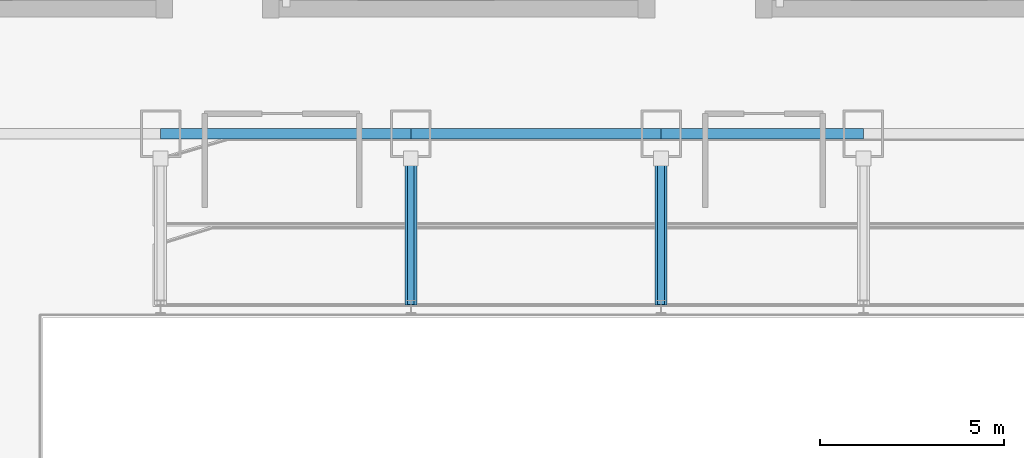
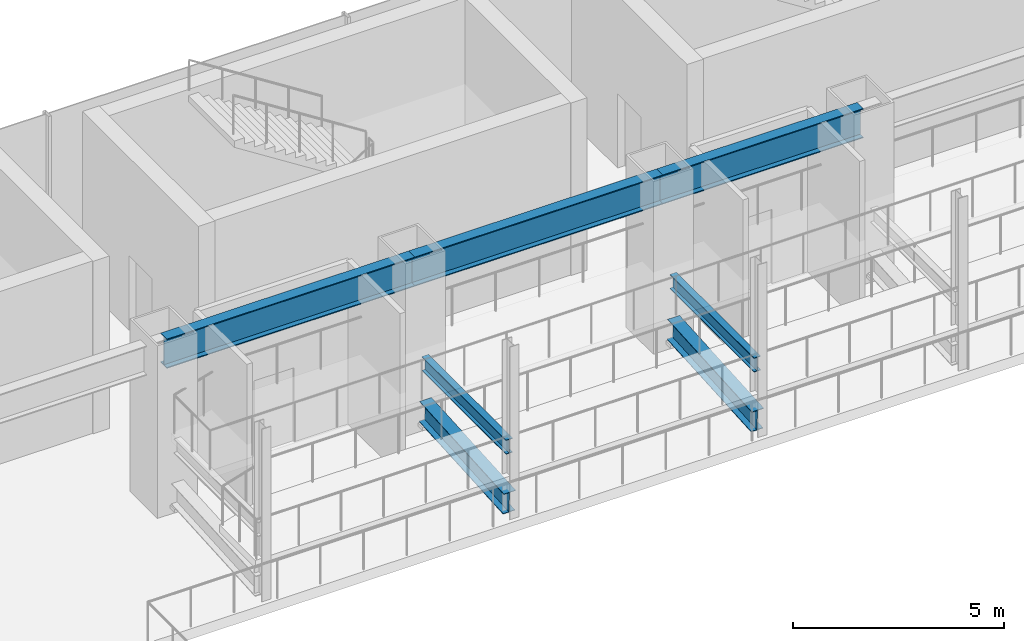
# One storey, part 13 of 39: 7 beams.
"""IFC4 building model written with IfcOpenShell, lengths in metres."""

from ifc_helpers import new_model, si_unit, derived_unit, direction, frame, origin, origin_2d, place, context, subcontext, project, spatial, i_section, extrude, source, transform, mapped, material, material_profile, profile_set, type_object, element, save


model = new_model("IFC4")

# Units and contexts
model_context = context("Model", 3, precision=1e-05, world=origin(), true_north=direction((0.0, 1.0)))
body_context = subcontext(model_context, "Body", "Model", "MODEL_VIEW")
ifc_project = project(units=[si_unit("LENGTHUNIT", "METRE"), si_unit("AREAUNIT", "SQUARE_METRE"), si_unit("VOLUMEUNIT", "CUBIC_METRE"), si_unit("PLANEANGLEUNIT", "RADIAN"), si_unit("MASSUNIT", "GRAM", prefix="KILO"), derived_unit("THERMALTRANSMITTANCEUNIT", [(si_unit("POWERUNIT", "WATT"), 1), (si_unit("LENGTHUNIT", "METRE"), -2), (si_unit("THERMODYNAMICTEMPERATUREUNIT", "KELVIN"), -1)])], contexts=[model_context])

# Site, building, storey
site_placement = place(None, origin())
site = spatial("IfcSite", under=ifc_project, at=site_placement, CompositionType="ELEMENT")
building_placement = place(site_placement, origin())
building = spatial("IfcBuilding", under=site, at=building_placement, Name="Skarnbrae Concourse Arena and Tower", CompositionType="ELEMENT")
storey_placement = place(building_placement, frame((0.0, 0.0, 11.0)))
storey = spatial("IfcBuildingStorey", under=building, at=storey_placement, Name="L02", CompositionType="ELEMENT", Elevation=11.0)

# Beams
ifc_material = material(Name="Steel CSA G40.21 350W", Category="steel")
ifc_material_profile_1 = material_profile(ifc_material, i_section(OverallWidth=0.2939453125, OverallDepth=0.85107421875, WebThickness=0.01611328125, FlangeThickness=0.02685546875, at=origin_2d()), Name="W840X226")
ifc_profile_set_1 = profile_set([ifc_material_profile_1], Name="Steel CSA G40.21 350W")
beam_type_1 = type_object("IfcBeamType", Name="BM-GIRD-W840X226", PredefinedType="BEAM", material=ifc_profile_set_1)
shared_shape_1 = source(origin(), body_context, "Body", "SweptSolid", [
    extrude(i_section(OverallWidth=0.2939453125, OverallDepth=0.85107421875, WebThickness=0.01611328125, FlangeThickness=0.02685546875, at=origin_2d()), origin(), (0.0, 0.0, 1.0), 6.800048828125),
])
for number, where, z_axis, x_axis, name in (
    (1, (14.39990234375, 47.0, 4.2744140625), (1.0, 0.0, 0.0), (0.0, 1.0, 0.0), "L02 Podium north girder 3"),
    (2, (21.199951171875, 47.0, 4.2744140625), (1.0, 0.0, 0.0), (0.0, 1.0, 0.0), "L02 Podium north girder 4"),
):
    element("IfcBeam", number, at=place(storey_placement, frame(where, z_axis=z_axis, x_axis=x_axis)), inside=storey, type_object=beam_type_1, Name=name, PredefinedType="BEAM", context=body_context, shape_type="MappedRepresentation", body=[
        mapped(shared_shape_1, transform((0.0, 0.0, 0.0))),
    ])
shared_shape_2 = source(origin(), body_context, "Body", "SweptSolid", [
    extrude(i_section(OverallWidth=0.2939453125, OverallDepth=0.85107421875, WebThickness=0.01611328125, FlangeThickness=0.02685546875, at=origin_2d()), origin(), (0.0, 0.0, 1.0), 5.5),
])
beam_placement = place(storey_placement, frame((28.0, 47.0, 4.2744140625), z_axis=(1.0, 0.0, 0.0), x_axis=(0.0, 1.0, 0.0)))
element("IfcBeam", 3, at=beam_placement, inside=storey, type_object=beam_type_1, Name="L02 Podium north girder 5", PredefinedType="BEAM", context=body_context, shape_type="MappedRepresentation", body=[
    mapped(shared_shape_2, transform((0.0, 0.0, 0.0))),
])
ifc_material_profile_2 = material_profile(ifc_material, i_section(OverallWidth=0.180908203125, OverallDepth=0.4169921875, WebThickness=0.010986328125, FlangeThickness=0.018310546875, at=origin_2d()), Name="W410X85")
ifc_profile_set_2 = profile_set([ifc_material_profile_2], Name="Steel CSA G40.21 350W")
beam_type_2 = type_object("IfcBeamType", Name="BM-JOIST-W410X85", PredefinedType="JOIST", material=ifc_profile_set_2)
shared_shape_3 = source(origin(), body_context, "Body", "SweptSolid", [
    extrude(i_section(OverallWidth=0.180908203125, OverallDepth=0.4169921875, WebThickness=0.010986328125, FlangeThickness=0.018310546875, at=origin_2d()), origin(), (0.0, 0.0, 1.0), 4.0),
])
for number, where, z_axis, x_axis, name in (
    (4, (21.199951171875, 42.360107421875, 1.94140625), (0.0, 1.0, 0.0), (-1.0, 0.0, 0.0), "L02 Arena upper seating tier cradle beam N02"),
    (5, (28.0, 42.360107421875, 1.94140625), (0.0, 1.0, 0.0), (-1.0, 0.0, 0.0), "L02 Arena upper seating tier cradle beam N03"),
):
    element("IfcBeam", number, at=place(storey_placement, frame(where, z_axis=z_axis, x_axis=x_axis)), inside=storey, type_object=beam_type_2, Name=name, PredefinedType="JOIST", context=body_context, shape_type="MappedRepresentation", body=[
        mapped(shared_shape_3, transform((0.0, 0.0, 0.0))),
    ])
ifc_material_profile_3 = material_profile(ifc_material, i_section(OverallWidth=0.323974609375, OverallDepth=0.611083984375, WebThickness=0.0126953125, FlangeThickness=0.01904296875, at=origin_2d()), Name="W610X155")
ifc_profile_set_3 = profile_set([ifc_material_profile_3], Name="Steel CSA G40.21 350W")
beam_type_3 = type_object("IfcBeamType", Name="BM-RAKER-W610X155", PredefinedType="USERDEFINED", material=ifc_profile_set_3)
shared_shape_4 = source(origin(), body_context, "Body", "SweptSolid", [
    extrude(i_section(OverallWidth=0.323974609375, OverallDepth=0.611083984375, WebThickness=0.0126953125, FlangeThickness=0.01904296875, at=origin_2d()), origin(), (0.0, 0.0, 1.0), 4.008544921875),
])
for number, where, z_axis, x_axis, name in (
    (6, (21.199951171875, 42.360107421875, 0.320068359375), (0.0, 0.997894012809, 0.064865547097), (-1.0, 0.0, 0.0), "L02 Arena bowl sloped raker beam RB-N02"),
    (7, (28.0, 42.360107421875, 0.320068359375), (0.0, 0.997894012809, 0.064865547097), (-1.0, 0.0, 0.0), "L02 Arena bowl sloped raker beam RB-N03"),
):
    element("IfcBeam", number, at=place(storey_placement, frame(where, z_axis=z_axis, x_axis=x_axis)), inside=storey, type_object=beam_type_3, Name=name, ObjectType="RAKER", PredefinedType="USERDEFINED", context=body_context, shape_type="MappedRepresentation", body=[
        mapped(shared_shape_4, transform((0.0, 0.0, 0.0))),
    ])

save(model, "model.ifc")
